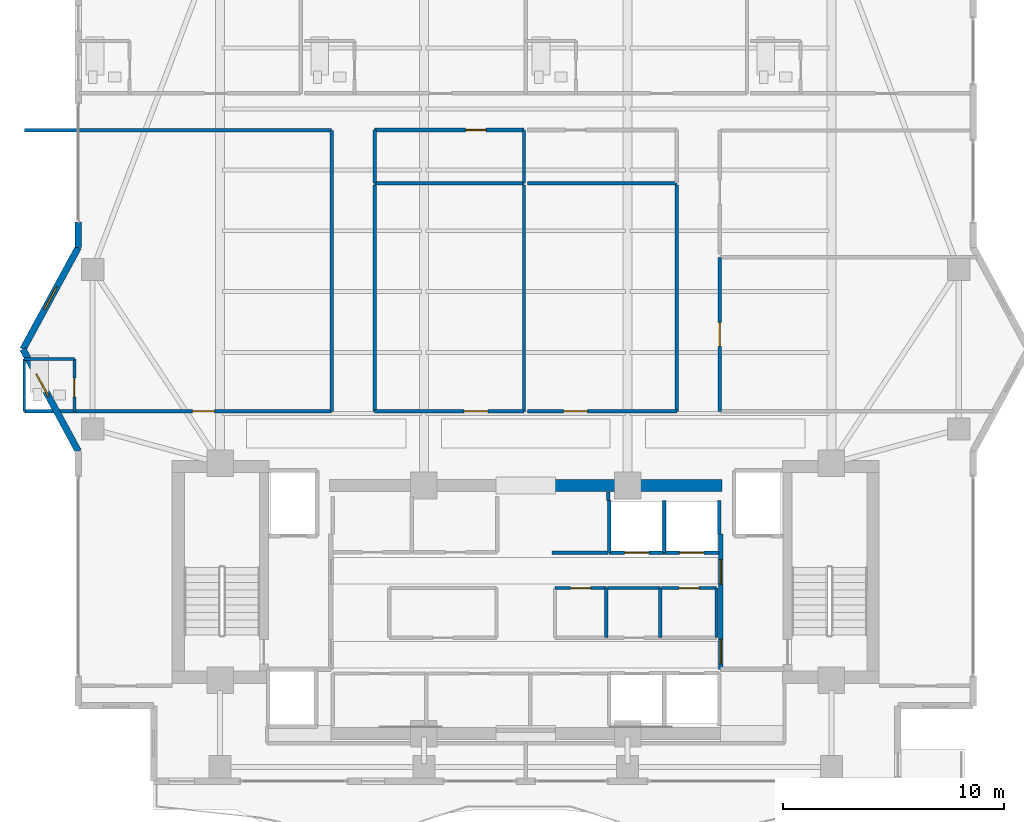
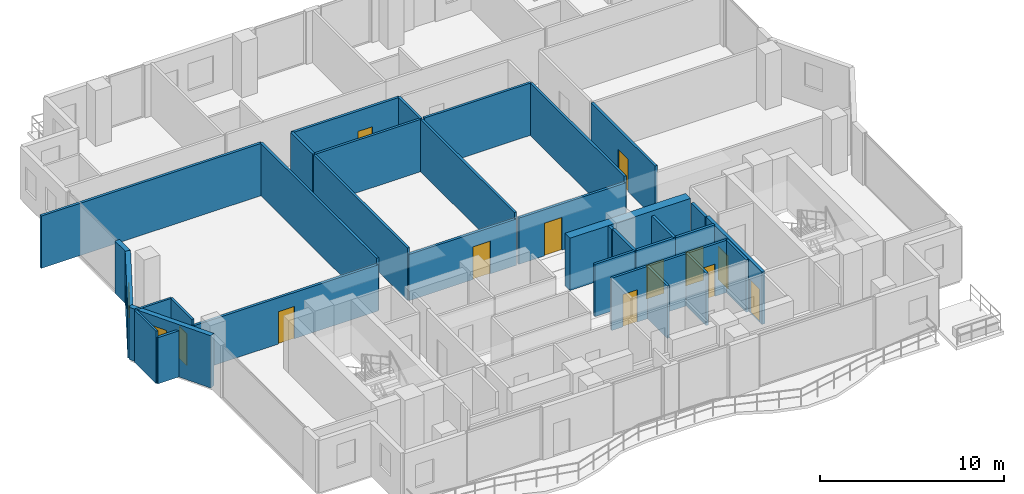
# One storey, part 20 of 26: 35 walls, 12 doors, 2 windows, 14 openings.
"""IFC4 building model written with IfcOpenShell, lengths in metres."""

from ifc_helpers import new_model, si_unit, direction, frame, frame_2d, origin, place, context, subcontext, project, spatial, rectangle, extrude, material, layer, layer_set, type_object, element, fill, save


model = new_model("IFC4")

# Units and contexts
model_context = context("Model", 3, precision=1e-05, world=origin(), true_north=direction((0.0, 1.0)))
body_context = subcontext(model_context, "Body", "Model", "MODEL_VIEW")
ifc_project = project(units=[si_unit("LENGTHUNIT", "METRE"), si_unit("AREAUNIT", "SQUARE_METRE"), si_unit("VOLUMEUNIT", "CUBIC_METRE"), si_unit("PLANEANGLEUNIT", "RADIAN"), si_unit("MASSUNIT", "GRAM", prefix="KILO")], contexts=[model_context])

# Site, building, storey
site_placement = place(None, origin())
site = spatial("IfcSite", under=ifc_project, at=site_placement, CompositionType="ELEMENT")
building_placement = place(site_placement, origin())
building = spatial("IfcBuilding", under=site, at=building_placement, Name="Zuhayl Quay Hotel", CompositionType="ELEMENT")
storey_placement = place(building_placement, frame((0.0, 0.0, 254.449951171875)))
storey = spatial("IfcBuildingStorey", under=building, at=storey_placement, Name="L64", CompositionType="ELEMENT", Elevation=254.449951171875)

# Wall
ifc_material_1 = material(Name="Concrete C50/60", Category="concrete")
ifc_layer_1 = layer(ifc_material_1, 0.550048828125, Name="Concrete C50/60", Category="concrete")
ifc_layer_set_1 = layer_set([ifc_layer_1], Name="Concrete C50/60")
wall_type_1 = type_object("IfcWallType", Name="WL_CORE_550", PredefinedType="SHEAR", material=ifc_layer_set_1)
wall_1_placement = place(storey_placement, frame((1.25, 13.35009765625, 0.0), z_axis=(0.0, 0.0, 1.0), x_axis=(1.0, 0.0, 0.0)))
element("IfcWall", 1, at=wall_1_placement, inside=storey, type_object=wall_type_1, Name="L64 Core Shear Wall CW_NC_E", PredefinedType="SHEAR", context=body_context, shape_type="SweptSolid", body=[
    extrude(rectangle(XDim=7.60009765625, YDim=0.550048828125, at=frame_2d((3.800048828125, 0.0))), origin(), (0.0, 0.0, 1.0), 3.47998046875),
])

# Wall, opening, window
ifc_material_2 = material(Name="Precast concrete C45/55", Category="concrete")
ifc_layer_2 = layer(ifc_material_2, 0.300048828125, Name="Precast concrete C45/55", Category="concrete")
ifc_layer_set_2 = layer_set([ifc_layer_2], Name="Precast concrete C45/55")
wall_type_2 = type_object("IfcWallType", Name="WL_EXT_300", PredefinedType="STANDARD", material=ifc_layer_set_2)
wall_2_placement = place(storey_placement, frame((-20.199951171875, 14.89990234375, 0.0), z_axis=(0.0, 0.0, 1.0), x_axis=(-0.477505494629, 0.878628762675, 0.0)))
wall_2 = element("IfcWall", 2, at=wall_2_placement, inside=storey, type_object=wall_type_2, Name="L64 Exterior Precast Wall ENV_L64_EW03", PredefinedType="STANDARD", context=body_context, shape_type="SweptSolid", body=[
    extrude(rectangle(XDim=5.235595703125, YDim=0.300048828125, at=frame_2d((2.61767578125, 0.0))), origin(), (0.0, 0.0, 1.0), 3.47998046875),
])
opening_1_placement = place(wall_2_placement, frame((2.822509765625, 0.0, 1.25)))
opening_1 = element("IfcOpeningElement", 3, at=opening_1_placement, cuts=wall_2, Name="Opening W01N", PredefinedType="OPENING", context=body_context, shape_type="SweptSolid", body=[
    extrude(rectangle(XDim=1.14990234375, YDim=1.550048828125, at=frame_2d((0.574951171875, 0.77490234375))), frame((0.0, 0.159912109375, 0.0), z_axis=(0.0, -1.0, 0.0), x_axis=(1.0, 0.0, 0.0)), (0.0, 0.0, 1.0), 0.320068359375),
])
ifc_material_3 = material(Name="Dark Ceramic-Fritted Solar Glass", Category="glass")
window_type = type_object("IfcWindowType", Name="WN_NOTCH_1350", PartitioningType="SINGLE_PANEL", PredefinedType="WINDOW", material=ifc_material_3)
window_1_placement = place(opening_1_placement, origin())
window_1 = element("IfcWindow", 4, at=window_1_placement, inside=storey, type_object=window_type, Name="L64 Corner Notch Window 3", OverallHeight=1.550048828125, OverallWidth=1.14990234375, PartitioningType="SINGLE_PANEL", PredefinedType="WINDOW", context=body_context, shape_type="SweptSolid", body=[
    extrude(rectangle(XDim=1.14990234375, YDim=1.550048828125, at=frame_2d((0.574951171875, 0.77490234375))), frame((0.0, 0.030029296875, 0.0), z_axis=(0.0, -1.0, 0.0), x_axis=(1.0, 0.0, 0.0)), (0.0, 0.0, 1.0), 0.06005859375),
])
fill(opening_1, window_1)

wall_3_placement = place(storey_placement, frame((-22.699951171875, 19.5, 0.0), z_axis=(0.0, 0.0, 1.0), x_axis=(0.477505494629, 0.878628762675, 0.0)))
wall_3 = element("IfcWall", 5, at=wall_3_placement, inside=storey, type_object=wall_type_2, Name="L64 Exterior Precast Wall ENV_L64_EW04", PredefinedType="STANDARD", context=body_context, shape_type="SweptSolid", body=[
    extrude(rectangle(XDim=5.235595703125, YDim=0.300048828125, at=frame_2d((2.61767578125, 0.0))), origin(), (0.0, 0.0, 1.0), 3.47998046875),
])
opening_2_placement = place(wall_3_placement, frame((2.042724609375, 0.0, 1.25)))
opening_2 = element("IfcOpeningElement", 6, at=opening_2_placement, cuts=wall_3, Name="Opening W01N", PredefinedType="OPENING", context=body_context, shape_type="SweptSolid", body=[
    extrude(rectangle(XDim=1.14990234375, YDim=1.550048828125, at=frame_2d((0.574951171875, 0.77490234375))), frame((0.0, 0.159912109375, 0.0), z_axis=(0.0, -1.0, 0.0), x_axis=(1.0, 0.0, 0.0)), (0.0, 0.0, 1.0), 0.320068359375),
])
window_2_placement = place(opening_2_placement, origin())
window_2 = element("IfcWindow", 7, at=window_2_placement, inside=storey, type_object=window_type, Name="L64 Corner Notch Window 4", OverallHeight=1.550048828125, OverallWidth=1.14990234375, PartitioningType="SINGLE_PANEL", PredefinedType="WINDOW", context=body_context, shape_type="SweptSolid", body=[
    extrude(rectangle(XDim=1.14990234375, YDim=1.550048828125, at=frame_2d((0.574951171875, 0.77490234375))), frame((0.0, 0.030029296875, 0.0), z_axis=(0.0, -1.0, 0.0), x_axis=(1.0, 0.0, 0.0)), (0.0, 0.0, 1.0), 0.06005859375),
])
fill(opening_2, window_2)

# Wall
wall_4_placement = place(storey_placement, frame((-20.199951171875, 24.10009765625, 0.0), z_axis=(0.0, 0.0, 1.0), x_axis=(0.0, 1.0, 0.0)))
element("IfcWall", 8, at=wall_4_placement, inside=storey, type_object=wall_type_2, Name="L64 Exterior Precast Wall ENV_L64_E05_EW1", PredefinedType="STANDARD", context=body_context, shape_type="SweptSolid", body=[
    extrude(rectangle(XDim=1.14990234375, YDim=0.300048828125, at=frame_2d((0.574951171875, 0.0))), origin(), (0.0, 0.0, 1.0), 3.47998046875),
])

# Wall, opening, door
ifc_material_4 = material(Name="Acoustic Gypsum Partition STC-58")
ifc_layer_3 = layer(ifc_material_4, 0.14990234375, Name="Acoustic Gypsum Partition STC-58")
ifc_layer_set_3 = layer_set([ifc_layer_3], Name="Acoustic Gypsum Partition STC-58")
wall_type_3 = type_object("IfcWallType", Name="WL_PART_150", PredefinedType="PARTITIONING", material=ifc_layer_set_3)
wall_5_placement = place(storey_placement, frame((1.320068359375, 8.719970703125, 0.0), z_axis=(0.0, 0.0, 1.0), x_axis=(1.0, 0.0, 0.0)))
wall_5 = element("IfcWall", 9, at=wall_5_placement, inside=storey, type_object=wall_type_3, Name="L64 Partition IW_L64_CORE_E1_N", PredefinedType="PARTITIONING", context=body_context, shape_type="SweptSolid", body=[
    extrude(rectangle(XDim=2.31982421875, YDim=0.14990234375, at=frame_2d((1.159912109375, 0.0))), origin(), (0.0, 0.0, 1.0), 3.47998046875),
])
opening_3_placement = place(wall_5_placement, frame((0.7099609375, 0.0, 0.0)))
opening_3 = element("IfcOpeningElement", 10, at=opening_3_placement, cuts=wall_5, Name="Opening D06", PredefinedType="OPENING", context=body_context, shape_type="SweptSolid", body=[
    extrude(rectangle(XDim=0.89990234375, YDim=2.14990234375, at=frame_2d((0.449951171875, 1.074951171875))), frame((0.0, 0.0849609375, 0.0), z_axis=(0.0, -1.0, 0.0), x_axis=(1.0, 0.0, 0.0)), (0.0, 0.0, 1.0), 0.169921875),
])
ifc_material_5 = material(Name="Steel ASTM A992 Grade 50", Category="steel")
door_type_1 = type_object("IfcDoorType", Name="DR_INT_900", OperationType="NOTDEFINED", PredefinedType="DOOR", material=ifc_material_5)
door_1_placement = place(opening_3_placement, origin())
door_1 = element("IfcDoor", 11, at=door_1_placement, inside=storey, type_object=door_type_1, Name="L64 Floor Electrical Closet Door", OperationType="SINGLE_SWING_LEFT", OverallHeight=2.14990234375, OverallWidth=0.89990234375, PredefinedType="DOOR", context=body_context, shape_type="SweptSolid", body=[
    extrude(rectangle(XDim=0.89990234375, YDim=2.14990234375, at=frame_2d((0.449951171875, 1.074951171875))), frame((0.0, 0.02490234375, 0.0), z_axis=(0.0, -1.0, 0.0), x_axis=(1.0, 0.0, 0.0)), (0.0, 0.0, 1.0), 0.050048828125),
])
fill(opening_3, door_1)

wall_6_placement = place(storey_placement, frame((6.139892578125, 8.719970703125, 0.0), z_axis=(0.0, 0.0, 1.0), x_axis=(1.0, 0.0, 0.0)))
wall_6 = element("IfcWall", 12, at=wall_6_placement, inside=storey, type_object=wall_type_3, Name="L64 Partition IW_L64_CORE_E3_N", PredefinedType="PARTITIONING", context=body_context, shape_type="SweptSolid", body=[
    extrude(rectangle(XDim=2.47021484375, YDim=0.14990234375, at=frame_2d((1.235107421875, 0.0))), origin(), (0.0, 0.0, 1.0), 3.47998046875),
])
opening_4_placement = place(wall_6_placement, frame((0.784912109375, 0.0, 0.0)))
opening_4 = element("IfcOpeningElement", 13, at=opening_4_placement, cuts=wall_6, Name="Opening D06", PredefinedType="OPENING", context=body_context, shape_type="SweptSolid", body=[
    extrude(rectangle(XDim=0.89990234375, YDim=2.14990234375, at=frame_2d((0.449951171875, 1.074951171875))), frame((0.0, 0.0849609375, 0.0), z_axis=(0.0, -1.0, 0.0), x_axis=(1.0, 0.0, 0.0)), (0.0, 0.0, 1.0), 0.169921875),
])
door_2_placement = place(opening_4_placement, origin())
door_2 = element("IfcDoor", 14, at=door_2_placement, inside=storey, type_object=door_type_1, Name="L64 Janitor and Cleaners Store Door", OperationType="SINGLE_SWING_LEFT", OverallHeight=2.14990234375, OverallWidth=0.89990234375, PredefinedType="DOOR", context=body_context, shape_type="SweptSolid", body=[
    extrude(rectangle(XDim=0.89990234375, YDim=2.14990234375, at=frame_2d((0.449951171875, 1.074951171875))), frame((0.0, 0.02490234375, 0.0), z_axis=(0.0, -1.0, 0.0), x_axis=(1.0, 0.0, 0.0)), (0.0, 0.0, 1.0), 0.050048828125),
])
fill(opening_4, door_2)

# Walls
wall_7_placement = place(storey_placement, frame((3.639892578125, 6.47998046875, 0.0), z_axis=(0.0, 0.0, 1.0), x_axis=(0.0, 1.0, 0.0)))
element("IfcWall", 15, at=wall_7_placement, inside=storey, type_object=wall_type_3, Name="L64 Partition IW_L64_CORE_E1_E", PredefinedType="PARTITIONING", context=body_context, shape_type="SweptSolid", body=[
    extrude(rectangle(XDim=2.239990234375, YDim=0.14990234375, at=frame_2d((1.1201171875, 0.0))), origin(), (0.0, 0.0, 1.0), 3.47998046875),
])
wall_8_placement = place(storey_placement, frame((3.699951171875, 8.719970703125, 0.0), z_axis=(0.0, 0.0, 1.0), x_axis=(1.0, 0.0, 0.0)))
element("IfcWall", 16, at=wall_8_placement, inside=storey, type_object=wall_type_3, Name="L64 Partition IW_L64_CORE_E2_N", PredefinedType="PARTITIONING", context=body_context, shape_type="SweptSolid", body=[
    extrude(rectangle(XDim=2.380126953125, YDim=0.14990234375, at=frame_2d((1.18994140625, 0.0))), origin(), (0.0, 0.0, 1.0), 3.47998046875),
])
for number, where, z_axis, x_axis, name in (
    (17, (6.080078125, 6.47998046875, 0.0), (0.0, 0.0, 1.0), (0.0, 1.0, 0.0), "L64 Partition IW_L64_CORE_E2_E"),
    (18, (8.610107421875, 6.47998046875, 0.0), (0.0, 0.0, 1.0), (0.0, 1.0, 0.0), "L64 Partition IW_L64_CORE_E3_E"),
):
    element("IfcWall", number, at=place(storey_placement, frame(where, z_axis=z_axis, x_axis=x_axis)), inside=storey, type_object=wall_type_3, Name=name, PredefinedType="PARTITIONING", context=body_context, shape_type="SweptSolid", body=[
        extrude(rectangle(XDim=2.239990234375, YDim=0.14990234375, at=frame_2d((1.1201171875, 0.0))), origin(), (0.0, 0.0, 1.0), 3.47998046875),
    ])
wall_9_placement = place(storey_placement, frame((1.179931640625, 10.320068359375, 0.0), z_axis=(0.0, 0.0, 1.0), x_axis=(1.0, 0.0, 0.0)))
element("IfcWall", 19, at=wall_9_placement, inside=storey, type_object=wall_type_3, Name="L64 Partition IW_L64_VEST_MP4_S", PredefinedType="PARTITIONING", context=body_context, shape_type="SweptSolid", body=[
    extrude(rectangle(XDim=2.5400390625, YDim=0.14990234375, at=frame_2d((1.27001953125, 0.0))), origin(), (0.0, 0.0, 1.0), 3.47998046875),
])
wall_10_placement = place(storey_placement, frame((3.719970703125, 12.679931640625, 0.0), z_axis=(0.0, 0.0, 1.0), x_axis=(0.0, 1.0, 0.0)))
element("IfcWall", 20, at=wall_10_placement, inside=storey, type_object=wall_type_3, Name="L64 Partition IW_L64_VEST_MP4_E", PredefinedType="PARTITIONING", context=body_context, shape_type="SweptSolid", body=[
    extrude(rectangle(XDim=0.3701171875, YDim=0.14990234375, at=frame_2d((0.18505859375, 0.0))), origin(), (0.0, 0.0, 1.0), 3.47998046875),
])
wall_11_placement = place(storey_placement, frame((-6.820068359375, 27.0, 0.0), z_axis=(0.0, 0.0, 1.0), x_axis=(1.0, 0.0, 0.0)))
element("IfcWall", 21, at=wall_11_placement, inside=storey, type_object=wall_type_3, Name="L64 Partition IW_L64_HK_MAIN_S", PredefinedType="PARTITIONING", context=body_context, shape_type="SweptSolid", body=[
    extrude(rectangle(XDim=6.739990234375, YDim=0.14990234375, at=frame_2d((3.3701171875, 0.0))), origin(), (0.0, 0.0, 1.0), 3.47998046875),
])
for number, where, z_axis, x_axis, name in (
    (22, (-6.820068359375, 27.0, 0.0), (0.0, 0.0, 1.0), (0.0, 1.0, 0.0), "L64 Partition IW_L64_HK_MAIN_W"),
    (23, (-0.080078125, 27.0, 0.0), (0.0, 0.0, 1.0), (0.0, 1.0, 0.0), "L64 Partition IW_L64_HK_MAIN_E"),
):
    element("IfcWall", number, at=place(storey_placement, frame(where, z_axis=z_axis, x_axis=x_axis)), inside=storey, type_object=wall_type_3, Name=name, PredefinedType="PARTITIONING", context=body_context, shape_type="SweptSolid", body=[
        extrude(rectangle(XDim=2.39990234375, YDim=0.14990234375, at=frame_2d((1.199951171875, 0.0))), origin(), (0.0, 0.0, 1.0), 3.47998046875),
    ])
wall_12_placement = place(storey_placement, frame((0.080078125, 27.0, 0.0), z_axis=(0.0, 0.0, 1.0), x_axis=(1.0, 0.0, 0.0)))
element("IfcWall", 24, at=wall_12_placement, inside=storey, type_object=wall_type_3, Name="L64 Partition IW_L64_TEA_MAIN_S", PredefinedType="PARTITIONING", context=body_context, shape_type="SweptSolid", body=[
    extrude(rectangle(XDim=6.739990234375, YDim=0.14990234375, at=frame_2d((3.3701171875, 0.0))), origin(), (0.0, 0.0, 1.0), 3.47998046875),
])
for number, where, z_axis, x_axis, name in (
    (25, (-6.820068359375, 16.699951171875, 0.0), (0.0, 0.0, 1.0), (0.0, 1.0, 0.0), "L64 Partition IW_L64_Z4_C1_W"),
    (26, (-0.080078125, 16.699951171875, 0.0), (0.0, 0.0, 1.0), (0.0, 1.0, 0.0), "L64 Partition IW_L64_Z4_C1_E"),
    (27, (6.820068359375, 16.699951171875, 0.0), (0.0, 0.0, 1.0), (0.0, 1.0, 0.0), "L64 Partition IW_L64_Z4_C2_E"),
):
    element("IfcWall", number, at=place(storey_placement, frame(where, z_axis=z_axis, x_axis=x_axis)), inside=storey, type_object=wall_type_3, Name=name, PredefinedType="PARTITIONING", context=body_context, shape_type="SweptSolid", body=[
        extrude(rectangle(XDim=10.219970703125, YDim=0.14990234375, at=frame_2d((5.10986328125, 0.0))), origin(), (0.0, 0.0, 1.0), 3.47998046875),
    ])
wall_13_placement = place(storey_placement, frame((-8.760009765625, 16.699951171875, 0.0), z_axis=(0.0, 0.0, 1.0), x_axis=(0.0, 1.0, 0.0)))
element("IfcWall", 28, at=wall_13_placement, inside=storey, type_object=wall_type_3, Name="L64 Partition IW_L64_WU01_E", PredefinedType="PARTITIONING", context=body_context, shape_type="SweptSolid", body=[
    extrude(rectangle(XDim=12.679931640625, YDim=0.14990234375, at=frame_2d((6.33984375, 0.0))), origin(), (0.0, 0.0, 1.0), 3.47998046875),
])

# Wall, opening, door
ifc_layer_4 = layer(ifc_material_4, 0.159912109375, Name="Acoustic Gypsum Partition STC-58")
ifc_layer_set_4 = layer_set([ifc_layer_4], Name="Acoustic Gypsum Partition STC-58")
wall_type_4 = type_object("IfcWallType", Name="WL_PART_CORR_160", PredefinedType="PARTITIONING", material=ifc_layer_set_4)
wall_14_placement = place(storey_placement, frame((-6.820068359375, 29.39990234375, 0.0), z_axis=(0.0, 0.0, 1.0), x_axis=(1.0, 0.0, 0.0)))
wall_14 = element("IfcWall", 29, at=wall_14_placement, inside=storey, type_object=wall_type_4, Name="L64 Partition IW_L64_HK_MAIN_N", PredefinedType="PARTITIONING", context=body_context, shape_type="SweptSolid", body=[
    extrude(rectangle(XDim=6.739990234375, YDim=0.159912109375, at=frame_2d((3.3701171875, 0.0))), origin(), (0.0, 0.0, 1.0), 3.47998046875),
])
opening_5_placement = place(wall_14_placement, frame((4.110107421875, 0.0, 0.0)))
opening_5 = element("IfcOpeningElement", 30, at=opening_5_placement, cuts=wall_14, Name="Opening D05", PredefinedType="OPENING", context=body_context, shape_type="SweptSolid", body=[
    extrude(rectangle(XDim=0.919921875, YDim=2.1201171875, at=frame_2d((0.4599609375, 1.06005859375))), frame((0.0, 0.08984375, 0.0), z_axis=(0.0, -1.0, 0.0), x_axis=(1.0, 0.0, 0.0)), (0.0, 0.0, 1.0), 0.179931640625),
])
ifc_material_6 = material(Name="Solid Walnut Acoustic Fire Door")
door_type_2 = type_object("IfcDoorType", Name="DR_INT_950", OperationType="NOTDEFINED", PredefinedType="DOOR", material=ifc_material_6)
door_3_placement = place(opening_5_placement, origin())
door_3 = element("IfcDoor", 31, at=door_3_placement, inside=storey, type_object=door_type_2, Name="L64 Housekeeping and Linen Room Door", OperationType="SINGLE_SWING_RIGHT", OverallHeight=2.1201171875, OverallWidth=0.919921875, PredefinedType="DOOR", context=body_context, shape_type="SweptSolid", body=[
    extrude(rectangle(XDim=0.919921875, YDim=2.1201171875, at=frame_2d((0.4599609375, 1.06005859375))), frame((0.0, 0.02490234375, 0.0), z_axis=(0.0, -1.0, 0.0), x_axis=(1.0, 0.0, 0.0)), (0.0, 0.0, 1.0), 0.050048828125),
])
fill(opening_5, door_3)

wall_15_placement = place(storey_placement, frame((-6.820068359375, 16.699951171875, 0.0), z_axis=(0.0, 0.0, 1.0), x_axis=(1.0, 0.0, 0.0)))
wall_15 = element("IfcWall", 32, at=wall_15_placement, inside=storey, type_object=wall_type_4, Name="L64 Partition IW_L64_Z4_C1_S", PredefinedType="PARTITIONING", context=body_context, shape_type="SweptSolid", body=[
    extrude(rectangle(XDim=6.739990234375, YDim=0.159912109375, at=frame_2d((3.3701171875, 0.0))), origin(), (0.0, 0.0, 1.0), 3.075927734375),
])
opening_6_placement = place(wall_15_placement, frame((4.030029296875, 0.0, 0.0)))
opening_6 = element("IfcOpeningElement", 33, at=opening_6_placement, cuts=wall_15, Name="Opening D05A", PredefinedType="OPENING", context=body_context, shape_type="SweptSolid", body=[
    extrude(rectangle(XDim=1.080078125, YDim=2.179931640625, at=frame_2d((0.5400390625, 1.08984375))), frame((0.0, 0.08984375, 0.0), z_axis=(0.0, -1.0, 0.0), x_axis=(1.0, 0.0, 0.0)), (0.0, 0.0, 1.0), 0.179931640625),
])
door_type_3 = type_object("IfcDoorType", Name="DR_INT_1100", OperationType="NOTDEFINED", PredefinedType="DOOR", material=ifc_material_6)
door_4_placement = place(opening_6_placement, origin())
door_4 = element("IfcDoor", 34, at=door_4_placement, inside=storey, type_object=door_type_3, Name="L64 Presidential Dining Room Door", OperationType="SINGLE_SWING_RIGHT", OverallHeight=2.179931640625, OverallWidth=1.080078125, PredefinedType="DOOR", context=body_context, shape_type="SweptSolid", body=[
    extrude(rectangle(XDim=1.080078125, YDim=2.179931640625, at=frame_2d((0.5400390625, 1.08984375))), frame((0.0, 0.02490234375, 0.0), z_axis=(0.0, -1.0, 0.0), x_axis=(1.0, 0.0, 0.0)), (0.0, 0.0, 1.0), 0.050048828125),
])
fill(opening_6, door_4)

wall_16_placement = place(storey_placement, frame((0.080078125, 16.699951171875, 0.0), z_axis=(0.0, 0.0, 1.0), x_axis=(1.0, 0.0, 0.0)))
wall_16 = element("IfcWall", 35, at=wall_16_placement, inside=storey, type_object=wall_type_4, Name="L64 Partition IW_L64_Z4_C2_S", PredefinedType="PARTITIONING", context=body_context, shape_type="SweptSolid", body=[
    extrude(rectangle(XDim=6.739990234375, YDim=0.159912109375, at=frame_2d((3.3701171875, 0.0))), origin(), (0.0, 0.0, 1.0), 3.075927734375),
])
opening_7_placement = place(wall_16_placement, frame((1.6298828125, 0.0, 0.0)))
opening_7 = element("IfcOpeningElement", 36, at=opening_7_placement, cuts=wall_16, Name="Opening D05A", PredefinedType="OPENING", context=body_context, shape_type="SweptSolid", body=[
    extrude(rectangle(XDim=1.080078125, YDim=2.179931640625, at=frame_2d((0.5400390625, 1.08984375))), frame((0.0, 0.08984375, 0.0), z_axis=(0.0, -1.0, 0.0), x_axis=(1.0, 0.0, 0.0)), (0.0, 0.0, 1.0), 0.179931640625),
])
door_5_placement = place(opening_7_placement, origin())
door_5 = element("IfcDoor", 37, at=door_5_placement, inside=storey, type_object=door_type_3, Name="L64 Presidential Reading Library Door", OperationType="SINGLE_SWING_LEFT", OverallHeight=2.179931640625, OverallWidth=1.080078125, PredefinedType="DOOR", context=body_context, shape_type="SweptSolid", body=[
    extrude(rectangle(XDim=1.080078125, YDim=2.179931640625, at=frame_2d((0.5400390625, 1.08984375))), frame((0.0, 0.02490234375, 0.0), z_axis=(0.0, -1.0, 0.0), x_axis=(1.0, 0.0, 0.0)), (0.0, 0.0, 1.0), 0.050048828125),
])
fill(opening_7, door_5)

wall_17_placement = place(storey_placement, frame((-22.639892578125, 16.699951171875, 0.0), z_axis=(0.0, 0.0, 1.0), x_axis=(1.0, 0.0, 0.0)))
wall_17 = element("IfcWall", 38, at=wall_17_placement, inside=storey, type_object=wall_type_4, Name="L64 Partition IW_L64_WU01_COR", PredefinedType="PARTITIONING", context=body_context, shape_type="SweptSolid", body=[
    extrude(rectangle(XDim=13.8798828125, YDim=0.159912109375, at=frame_2d((6.93994140625, 0.0))), origin(), (0.0, 0.0, 1.0), 3.075927734375),
])
opening_8_placement = place(wall_17_placement, frame((7.590087890625, 0.0, 0.0)))
opening_8 = element("IfcOpeningElement", 39, at=opening_8_placement, cuts=wall_17, Name="Opening D03L", PredefinedType="OPENING", context=body_context, shape_type="SweptSolid", body=[
    extrude(rectangle(XDim=1.0, YDim=2.14990234375, at=frame_2d((0.5, 1.074951171875))), frame((0.0, 0.08984375, 0.0), z_axis=(0.0, -1.0, 0.0), x_axis=(1.0, 0.0, 0.0)), (0.0, 0.0, 1.0), 0.179931640625),
])
door_type_4 = type_object("IfcDoorType", Name="DR_SUITE_1000", OperationType="NOTDEFINED", PredefinedType="DOOR", material=ifc_material_6)
door_6_placement = place(opening_8_placement, origin())
door_6 = element("IfcDoor", 40, at=door_6_placement, inside=storey, type_object=door_type_4, Name="L64 Presidential West Suite L64 Entrance Door", OperationType="SINGLE_SWING_LEFT", OverallHeight=2.14990234375, OverallWidth=1.0, PredefinedType="DOOR", context=body_context, shape_type="SweptSolid", body=[
    extrude(rectangle(XDim=1.0, YDim=2.14990234375, at=frame_2d((0.5, 1.074951171875))), frame((0.0, 0.02490234375, 0.0), z_axis=(0.0, -1.0, 0.0), x_axis=(1.0, 0.0, 0.0)), (0.0, 0.0, 1.0), 0.050048828125),
])
fill(opening_8, door_6)

wall_18_placement = place(storey_placement, frame((8.760009765625, 16.699951171875, 0.0), z_axis=(0.0, 0.0, 1.0), x_axis=(0.0, 1.0, 0.0)))
wall_18 = element("IfcWall", 41, at=wall_18_placement, inside=storey, type_object=wall_type_4, Name="L64 Partition IW_L64_Z4_E1_W", PredefinedType="PARTITIONING", context=body_context, shape_type="SweptSolid", body=[
    extrude(rectangle(XDim=6.949951171875, YDim=0.159912109375, at=frame_2d((3.47509765625, 0.0))), origin(), (0.0, 0.0, 1.0), 3.47998046875),
])
opening_9_placement = place(wall_18_placement, frame((2.93505859375, 0.0, 0.0)))
opening_9 = element("IfcOpeningElement", 42, at=opening_9_placement, cuts=wall_18, Name="Opening D05A", PredefinedType="OPENING", context=body_context, shape_type="SweptSolid", body=[
    extrude(rectangle(XDim=1.080078125, YDim=2.179931640625, at=frame_2d((0.5400390625, 1.08984375))), frame((0.0, 0.08984375, 0.0), z_axis=(0.0, -1.0, 0.0), x_axis=(1.0, 0.0, 0.0)), (0.0, 0.0, 1.0), 0.179931640625),
])
door_7_placement = place(opening_9_placement, origin())
door_7 = element("IfcDoor", 43, at=door_7_placement, inside=storey, type_object=door_type_3, Name="L64 East Diplomatic Dining Room Door", OperationType="SINGLE_SWING_RIGHT", OverallHeight=2.179931640625, OverallWidth=1.080078125, PredefinedType="DOOR", context=body_context, shape_type="SweptSolid", body=[
    extrude(rectangle(XDim=1.080078125, YDim=2.179931640625, at=frame_2d((0.5400390625, 1.08984375))), frame((0.0, 0.02490234375, 0.0), z_axis=(0.0, -1.0, 0.0), x_axis=(1.0, 0.0, 0.0)), (0.0, 0.0, 1.0), 0.050048828125),
])
fill(opening_9, door_7)

# Wall
wall_19_placement = place(storey_placement, frame((-22.639892578125, 29.3798828125, 0.0), z_axis=(0.0, 0.0, 1.0), x_axis=(1.0, 0.0, 0.0)))
element("IfcWall", 44, at=wall_19_placement, inside=storey, type_object=wall_type_4, Name="L64 Partition IW_L64_WU01_BK", PredefinedType="PARTITIONING", context=body_context, shape_type="SweptSolid", body=[
    extrude(rectangle(XDim=13.8798828125, YDim=0.159912109375, at=frame_2d((6.93994140625, 0.0))), origin(), (0.0, 0.0, 1.0), 3.47998046875),
])

# Wall, opening, door
ifc_material_7 = material(Name="Moisture-Resistant Sanitarychase Gypsum")
ifc_layer_5 = layer(ifc_material_7, 0.135009765625, Name="Moisture-Resistant Sanitarychase Gypsum")
ifc_layer_set_5 = layer_set([ifc_layer_5], Name="Moisture-Resistant Sanitarychase Gypsum")
wall_type_5 = type_object("IfcWallType", Name="WL_PART_PLUMB_150", PredefinedType="PLUMBINGWALL", material=ifc_layer_set_5)
wall_20_placement = place(storey_placement, frame((-20.3798828125, 16.699951171875, 0.0), z_axis=(0.0, 0.0, 1.0), x_axis=(0.0, 1.0, 0.0)))
wall_20 = element("IfcWall", 45, at=wall_20_placement, inside=storey, type_object=wall_type_5, Name="L64 Partition IW_L64_WU01_BE", PredefinedType="PLUMBINGWALL", context=body_context, shape_type="SweptSolid", body=[
    extrude(rectangle(XDim=2.360107421875, YDim=0.135009765625, at=frame_2d((1.18017578125, 0.0))), origin(), (0.0, 0.0, 1.0), 3.47998046875),
])
opening_10_placement = place(wall_20_placement, frame((0.64990234375, 0.0, 0.0)))
opening_10 = element("IfcOpeningElement", 46, at=opening_10_placement, cuts=wall_20, Name="Opening D04", PredefinedType="OPENING", context=body_context, shape_type="SweptSolid", body=[
    extrude(rectangle(XDim=0.85009765625, YDim=2.10009765625, at=frame_2d((0.425048828125, 1.050048828125))), frame((0.0, 0.077392578125, 0.0), z_axis=(0.0, -1.0, 0.0), x_axis=(1.0, 0.0, 0.0)), (0.0, 0.0, 1.0), 0.155029296875),
])
ifc_material_8 = material(Name="Moisture-Resistant Walnut Veneer")
door_type_5 = type_object("IfcDoorType", Name="DR_BATH_850", OperationType="NOTDEFINED", PredefinedType="DOOR", material=ifc_material_8)
door_8_placement = place(opening_10_placement, origin())
door_8 = element("IfcDoor", 47, at=door_8_placement, inside=storey, type_object=door_type_5, Name="L64 Presidential West Suite L64 En-Suite Door", OperationType="SINGLE_SWING_RIGHT", OverallHeight=2.10009765625, OverallWidth=0.85009765625, PredefinedType="DOOR", context=body_context, shape_type="SweptSolid", body=[
    extrude(rectangle(XDim=0.85009765625, YDim=2.10009765625, at=frame_2d((0.425048828125, 1.050048828125))), frame((0.0, 0.02490234375, 0.0), z_axis=(0.0, -1.0, 0.0), x_axis=(1.0, 0.0, 0.0)), (0.0, 0.0, 1.0), 0.050048828125),
])
fill(opening_10, door_8)

# Walls
wall_21_placement = place(storey_placement, frame((-22.639892578125, 19.06005859375, 0.0), z_axis=(0.0, 0.0, 1.0), x_axis=(1.0, 0.0, 0.0)))
element("IfcWall", 48, at=wall_21_placement, inside=storey, type_object=wall_type_5, Name="L64 Partition IW_L64_WU01_BN", PredefinedType="PLUMBINGWALL", context=body_context, shape_type="SweptSolid", body=[
    extrude(rectangle(XDim=2.260009765625, YDim=0.135009765625, at=frame_2d((1.1298828125, 0.0))), origin(), (0.0, 0.0, 1.0), 3.47998046875),
])
wall_22_placement = place(storey_placement, frame((-22.639892578125, 16.699951171875, 0.0), z_axis=(0.0, 0.0, 1.0), x_axis=(0.0, 1.0, 0.0)))
element("IfcWall", 49, at=wall_22_placement, inside=storey, type_object=wall_type_5, Name="L64 Partition IW_L64_WU01_BW", PredefinedType="PLUMBINGWALL", context=body_context, shape_type="SweptSolid", body=[
    extrude(rectangle(XDim=2.360107421875, YDim=0.135009765625, at=frame_2d((1.18017578125, 0.0))), origin(), (0.0, 0.0, 1.0), 3.47998046875),
])

# Wall, opening, door
ifc_material_9 = material(Name="Gypsum Fireboard Assembly EI-90")
ifc_layer_6 = layer(ifc_material_9, 0.1650390625, Name="Gypsum Fireboard Assembly EI-90")
ifc_layer_set_6 = layer_set([ifc_layer_6], Name="Gypsum Fireboard Assembly EI-90")
wall_type_6 = type_object("IfcWallType", Name="WL_PART_SHAFT_160", PredefinedType="PARTITIONING", material=ifc_layer_set_6)
wall_23_placement = place(storey_placement, frame((3.77001953125, 10.320068359375, 0.0), z_axis=(0.0, 0.0, 1.0), x_axis=(1.0, 0.0, 0.0)))
wall_23 = element("IfcWall", 50, at=wall_23_placement, inside=storey, type_object=wall_type_6, Name="L64 Partition IW_L64_SH_HP3_F", PredefinedType="PARTITIONING", context=body_context, shape_type="SweptSolid", body=[
    extrude(rectangle(XDim=2.47998046875, YDim=0.1650390625, at=frame_2d((1.239990234375, 0.0))), origin(), (0.0, 0.0, 1.0), 3.47998046875),
])
opening_11_placement = place(wall_23_placement, frame((0.68994140625, 0.0, 0.0)))
opening_11 = element("IfcOpeningElement", 51, at=opening_11_placement, cuts=wall_23, Name="Opening LD1", PredefinedType="OPENING", context=body_context, shape_type="SweptSolid", body=[
    extrude(rectangle(XDim=1.10009765625, YDim=2.25, at=frame_2d((0.550048828125, 1.125))), frame((0.0, 0.092529296875, 0.0), z_axis=(0.0, -1.0, 0.0), x_axis=(1.0, 0.0, 0.0)), (0.0, 0.0, 1.0), 0.18505859375),
])
ifc_material_10 = material(Name="Brushed Stainless Steel", Category="steel")
door_type_6 = type_object("IfcDoorType", Name="DR_LIFT_PASS_1100", OperationType="SLIDING_TO_LEFT", PredefinedType="DOOR", material=ifc_material_10)
door_9_placement = place(opening_11_placement, origin())
door_9 = element("IfcDoor", 52, at=door_9_placement, inside=storey, type_object=door_type_6, Name="L64 Lift HP3 Sliding Landing Door", OperationType="SLIDING_TO_LEFT", OverallHeight=2.25, OverallWidth=1.10009765625, PredefinedType="DOOR", context=body_context, shape_type="SweptSolid", body=[
    extrude(rectangle(XDim=1.10009765625, YDim=2.25, at=frame_2d((0.550048828125, 1.125))), frame((0.0, 0.02490234375, 0.0), z_axis=(0.0, -1.0, 0.0), x_axis=(1.0, 0.0, 0.0)), (0.0, 0.0, 1.0), 0.050048828125),
])
fill(opening_11, door_9)

wall_24_placement = place(storey_placement, frame((6.25, 10.320068359375, 0.0), z_axis=(0.0, 0.0, 1.0), x_axis=(1.0, 0.0, 0.0)))
wall_24 = element("IfcWall", 53, at=wall_24_placement, inside=storey, type_object=wall_type_6, Name="L64 Partition IW_L64_SH_HP4_F", PredefinedType="PARTITIONING", context=body_context, shape_type="SweptSolid", body=[
    extrude(rectangle(XDim=2.47998046875, YDim=0.1650390625, at=frame_2d((1.239990234375, 0.0))), origin(), (0.0, 0.0, 1.0), 3.47998046875),
])
opening_12_placement = place(wall_24_placement, frame((0.68994140625, 0.0, 0.0)))
opening_12 = element("IfcOpeningElement", 54, at=opening_12_placement, cuts=wall_24, Name="Opening LD1", PredefinedType="OPENING", context=body_context, shape_type="SweptSolid", body=[
    extrude(rectangle(XDim=1.10009765625, YDim=2.25, at=frame_2d((0.550048828125, 1.125))), frame((0.0, 0.092529296875, 0.0), z_axis=(0.0, -1.0, 0.0), x_axis=(1.0, 0.0, 0.0)), (0.0, 0.0, 1.0), 0.18505859375),
])
door_10_placement = place(opening_12_placement, origin())
door_10 = element("IfcDoor", 55, at=door_10_placement, inside=storey, type_object=door_type_6, Name="L64 Lift HP4 Sliding Landing Door", OperationType="SLIDING_TO_LEFT", OverallHeight=2.25, OverallWidth=1.10009765625, PredefinedType="DOOR", context=body_context, shape_type="SweptSolid", body=[
    extrude(rectangle(XDim=1.10009765625, YDim=2.25, at=frame_2d((0.550048828125, 1.125))), frame((0.0, 0.02490234375, 0.0), z_axis=(0.0, -1.0, 0.0), x_axis=(1.0, 0.0, 0.0)), (0.0, 0.0, 1.0), 0.050048828125),
])
fill(opening_12, door_10)

# Walls
for number, where, z_axis, x_axis, name in (
    (56, (3.77001953125, 10.320068359375, 0.0), (0.0, 0.0, 1.0), (0.0, 1.0, 0.0), "L64 Partition IW_L64_SH_HP3_W"),
    (57, (6.25, 10.320068359375, 0.0), (0.0, 0.0, 1.0), (0.0, 1.0, 0.0), "L64 Partition IW_L64_SH_HP3_E"),
):
    element("IfcWall", number, at=place(storey_placement, frame(where, z_axis=z_axis, x_axis=x_axis)), inside=storey, type_object=wall_type_6, Name=name, PredefinedType="PARTITIONING", context=body_context, shape_type="SweptSolid", body=[
        extrude(rectangle(XDim=2.35986328125, YDim=0.1650390625, at=frame_2d((1.179931640625, 0.0))), origin(), (0.0, 0.0, 1.0), 3.47998046875),
    ])
wall_25_placement = place(storey_placement, frame((8.72998046875, 11.14990234375, 0.0), z_axis=(0.0, 0.0, 1.0), x_axis=(0.0, 1.0, 0.0)))
element("IfcWall", 58, at=wall_25_placement, inside=storey, type_object=wall_type_6, Name="L64 Partition IW_L64_SH_HP4_E", PredefinedType="PARTITIONING", context=body_context, shape_type="SweptSolid", body=[
    extrude(rectangle(XDim=1.530029296875, YDim=0.1650390625, at=frame_2d((0.76513671875, 0.0))), origin(), (0.0, 0.0, 1.0), 3.47998046875),
])

# Wall, openings, doors
ifc_material_11 = material(Name="Gypsum Fireboard Assembly EI-120")
ifc_layer_7 = layer(ifc_material_11, 0.199951171875, Name="Gypsum Fireboard Assembly EI-120")
ifc_layer_set_7 = layer_set([ifc_layer_7], Name="Gypsum Fireboard Assembly EI-120")
wall_type_7 = type_object("IfcWallType", Name="WL_PART_SHAFT_200", PredefinedType="PARTITIONING", material=ifc_layer_set_7)
wall_26_placement = place(storey_placement, frame((8.800048828125, 11.14990234375, 0.0), z_axis=(0.0, 0.0, 1.0), x_axis=(0.0, -1.0, 0.0)))
wall_26 = element("IfcWall", 59, at=wall_26_placement, inside=storey, type_object=wall_type_7, Name="L64 Partition IW_L64_FSAE_E_W", PredefinedType="PARTITIONING", context=body_context, shape_type="SweptSolid", body=[
    extrude(rectangle(XDim=6.099853515625, YDim=0.199951171875, at=frame_2d((3.0498046875, 0.0))), origin(), (0.0, 0.0, 1.0), 3.47998046875),
])
opening_13_placement = place(wall_26_placement, frame((1.14990234375, 0.0, 0.0)))
opening_13 = element("IfcOpeningElement", 60, at=opening_13_placement, cuts=wall_26, Name="Opening D02", PredefinedType="OPENING", context=body_context, shape_type="SweptSolid", body=[
    extrude(rectangle(XDim=1.10009765625, YDim=2.199951171875, at=frame_2d((0.550048828125, 1.10009765625))), frame((0.0, 0.10986328125, 0.0), z_axis=(0.0, -1.0, 0.0), x_axis=(1.0, 0.0, 0.0)), (0.0, 0.0, 1.0), 0.219970703125),
])
opening_14_placement = place(wall_26_placement, frame((4.75, 0.0, 0.0)))
opening_14 = element("IfcOpeningElement", 61, at=opening_14_placement, cuts=wall_26, Name="Opening D02", PredefinedType="OPENING", context=body_context, shape_type="SweptSolid", body=[
    extrude(rectangle(XDim=1.10009765625, YDim=2.199951171875, at=frame_2d((0.550048828125, 1.10009765625))), frame((0.0, 0.10986328125, 0.0), z_axis=(0.0, -1.0, 0.0), x_axis=(1.0, 0.0, 0.0)), (0.0, 0.0, 1.0), 0.219970703125),
])
door_type_7 = type_object("IfcDoorType", Name="DR_FIRE_90_1100", OperationType="NOTDEFINED", PredefinedType="DOOR", material=ifc_material_5)
door_11_placement = place(opening_13_placement, origin())
door_11 = element("IfcDoor", 62, at=door_11_placement, inside=storey, type_object=door_type_7, Name="L64 FSAE Lobby East North Entry Door", OperationType="SINGLE_SWING_LEFT", OverallHeight=2.199951171875, OverallWidth=1.10009765625, PredefinedType="DOOR", context=body_context, shape_type="SweptSolid", body=[
    extrude(rectangle(XDim=1.10009765625, YDim=2.199951171875, at=frame_2d((0.550048828125, 1.10009765625))), frame((0.0, 0.02490234375, 0.0), z_axis=(0.0, -1.0, 0.0), x_axis=(1.0, 0.0, 0.0)), (0.0, 0.0, 1.0), 0.050048828125),
])
fill(opening_13, door_11)
door_12_placement = place(opening_14_placement, origin())
door_12 = element("IfcDoor", 63, at=door_12_placement, inside=storey, type_object=door_type_7, Name="L64 FSAE Lobby East South Entry Door", OperationType="SINGLE_SWING_RIGHT", OverallHeight=2.199951171875, OverallWidth=1.10009765625, PredefinedType="DOOR", context=body_context, shape_type="SweptSolid", body=[
    extrude(rectangle(XDim=1.10009765625, YDim=2.199951171875, at=frame_2d((0.550048828125, 1.10009765625))), frame((0.0, 0.02490234375, 0.0), z_axis=(0.0, -1.0, 0.0), x_axis=(1.0, 0.0, 0.0)), (0.0, 0.0, 1.0), 0.050048828125),
])
fill(opening_14, door_12)

save(model, "model.ifc")
